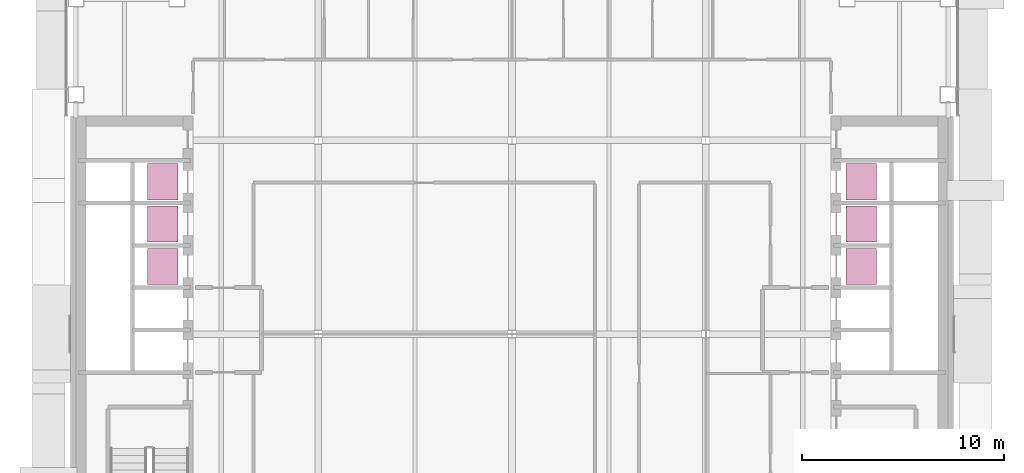
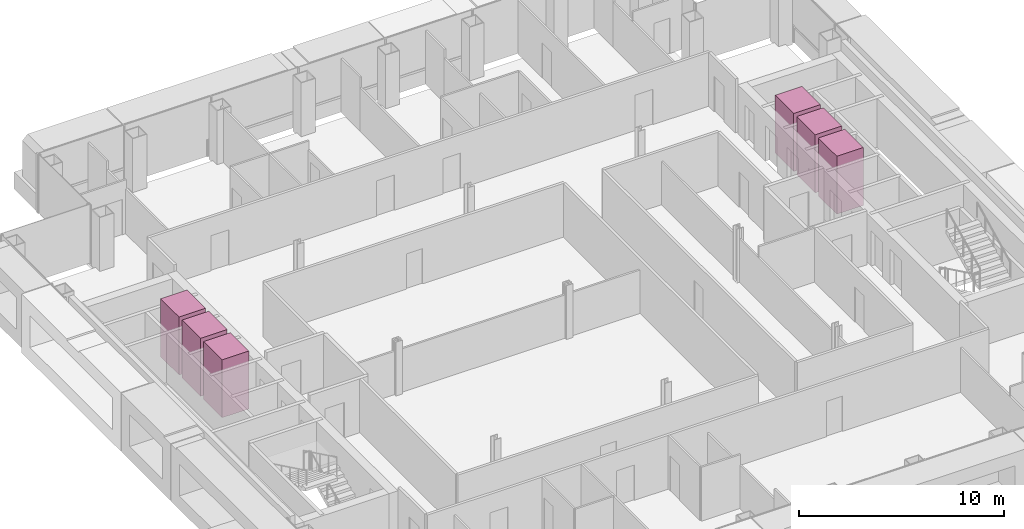
# One storey, part 21 of 21: 6 transport elements.
"""IFC4 building model written with IfcOpenShell, lengths in metres."""

from ifc_helpers import new_model, si_unit, direction, frame, origin, origin_2d, place, context, subcontext, project, spatial, rectangle, extrude, material, type_object, element, save


model = new_model("IFC4")

# Units and contexts
model_context = context("Model", 3, precision=1e-05, world=origin(), true_north=direction((0.0, 1.0)))
body_context = subcontext(model_context, "Body", "Model", "MODEL_VIEW")
ifc_project = project(units=[si_unit("LENGTHUNIT", "METRE"), si_unit("AREAUNIT", "SQUARE_METRE"), si_unit("VOLUMEUNIT", "CUBIC_METRE"), si_unit("PLANEANGLEUNIT", "RADIAN"), si_unit("MASSUNIT", "GRAM", prefix="KILO")], contexts=[model_context])

# Site, building, storey
site_placement = place(None, origin())
site = spatial("IfcSite", under=ifc_project, at=site_placement, CompositionType="ELEMENT")
building_placement = place(site_placement, origin())
building = spatial("IfcBuilding", under=site, at=building_placement, Name="Cobrizo Arcos Hotel Tower", CompositionType="ELEMENT")
storey_placement = place(building_placement, frame((0.0, 0.0, 183.0)))
storey = spatial("IfcBuildingStorey", under=building, at=storey_placement, Name="L47", CompositionType="ELEMENT", Elevation=183.0)

# Transport elements
ifc_material = material(Name="Stainless steel car", Category="steel")
transport_element_type = type_object("IfcTransportElementType", Name="Lift car High 1.8x1.5", PredefinedType="ELEVATOR", material=ifc_material)
for number, where, z_axis, x_axis, name in (
    (1, (-17.300048828125, 3.35009765625, 0.0), (0.0, 0.0, 1.0), (1.0, 0.0, 0.0), "High-rise passenger lift W1"),
    (2, (-17.300048828125, 5.449951171875, 0.0), (0.0, 0.0, 1.0), (1.0, 0.0, 0.0), "High-rise passenger lift W2"),
    (3, (-17.300048828125, 7.550048828125, 0.0), (0.0, 0.0, 1.0), (1.0, 0.0, 0.0), "High-rise passenger lift W3"),
    (4, (17.300048828125, 3.35009765625, 0.0), (0.0, 0.0, 1.0), (1.0, 0.0, 0.0), "High-rise passenger lift E1"),
    (5, (17.300048828125, 5.449951171875, 0.0), (0.0, 0.0, 1.0), (1.0, 0.0, 0.0), "High-rise passenger lift E2"),
    (6, (17.300048828125, 7.550048828125, 0.0), (0.0, 0.0, 1.0), (1.0, 0.0, 0.0), "High-rise passenger lift E3"),
):
    element("IfcTransportElement", number, at=place(storey_placement, frame(where, z_axis=z_axis, x_axis=x_axis)), inside=storey, type_object=transport_element_type, Name=name, PredefinedType="ELEVATOR", context=body_context, shape_type="SweptSolid", body=[
        extrude(rectangle(XDim=1.5, YDim=1.800048828125, at=origin_2d()), origin(), (0.0, 0.0, 1.0), 3.449951171875),
    ])

save(model, "model.ifc")
